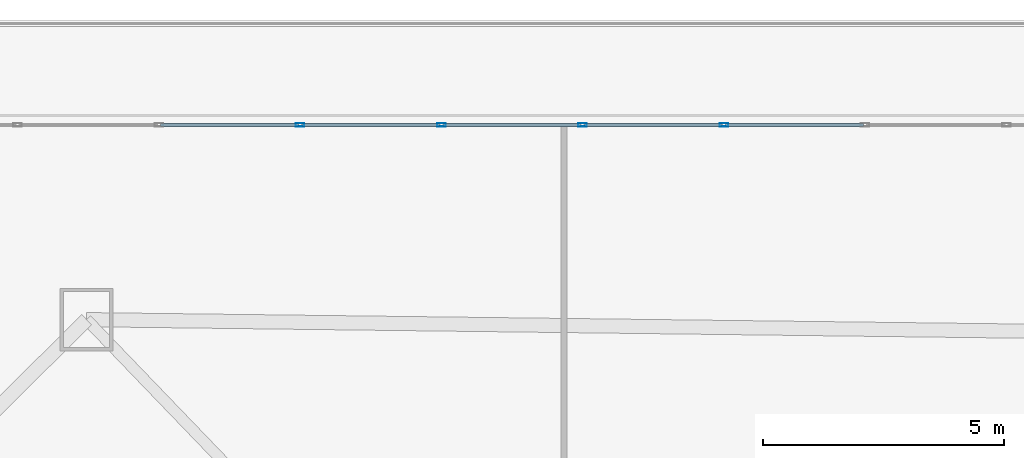
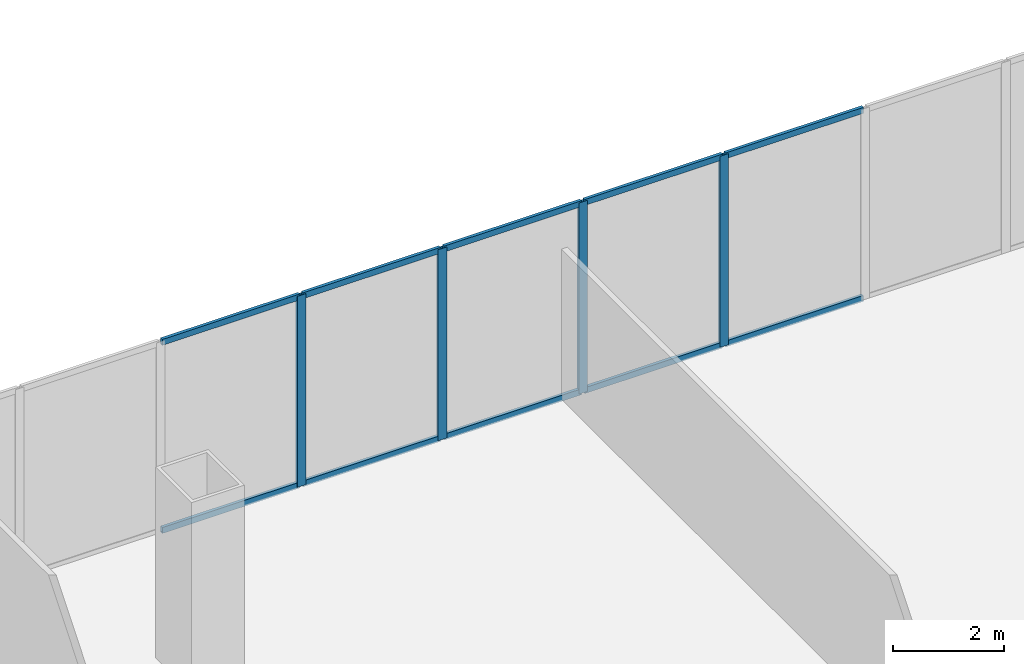
# One storey, part 15 of 31: 14 members, 1 element without a shape of its own.
"""IFC4 building model written with IfcOpenShell, lengths in metres."""

from ifc_helpers import new_model, si_unit, direction, frame, origin, origin_2d, place, context, subcontext, project, spatial, hollow_rectangle, extrude, material, layer, layer_set, material_profile, profile_set, type_object, element, aggregate, save


model = new_model("IFC4")

# Units and contexts
model_context = context("Model", 3, precision=1e-05, world=origin(), true_north=direction((0.0, 1.0)))
body_context = subcontext(model_context, "Body", "Model", "MODEL_VIEW")
ifc_project = project(units=[si_unit("LENGTHUNIT", "METRE"), si_unit("AREAUNIT", "SQUARE_METRE"), si_unit("VOLUMEUNIT", "CUBIC_METRE"), si_unit("PLANEANGLEUNIT", "RADIAN"), si_unit("MASSUNIT", "GRAM", prefix="KILO")], contexts=[model_context])

# Site, building, storey
site_placement = place(None, origin())
site = spatial("IfcSite", under=ifc_project, at=site_placement, CompositionType="ELEMENT")
building_placement = place(site_placement, origin())
building = spatial("IfcBuilding", under=site, at=building_placement, Name="Caelvoria Tower", CompositionType="ELEMENT")
storey_placement = place(building_placement, frame((0.0, 0.0, 9.5)))
storey = spatial("IfcBuildingStorey", under=building, at=storey_placement, Name="L02", CompositionType="ELEMENT", Elevation=9.5)

# Curtain wall, members
ifc_material_1 = material(Name="Anodised Bronze Aluminium and Low-E Glass", Category="aluminium")
ifc_layer = layer(ifc_material_1, 0.199951171875, Name="Anodised Bronze Aluminium and Low-E Glass")
ifc_layer_set = layer_set([ifc_layer], Name="CW System 1 Podium Arcade Unitised Glazing - Anodised Bronze Aluminium and Low-E Glass")
curtain_wall_type = type_object("IfcCurtainWallType", Name="CW System 1 Podium Arcade Unitised Glazing", PredefinedType="NOTDEFINED", material=ifc_layer_set)
curtain_wall_placement = place(storey_placement, origin())
curtain_wall = element("IfcCurtainWall", 1, at=curtain_wall_placement, inside=storey, type_object=curtain_wall_type, Name="CW-01 Curtain Wall L02-E4", PredefinedType="NOTDEFINED")
ifc_material_2 = material(Name="Anodised Bronze Architectural Aluminium", Category="aluminium")
ifc_material_profile_1 = material_profile(ifc_material_2, hollow_rectangle(XDim=0.070068359375, YDim=0.179931640625, WallThickness=0.00390625, at=origin_2d()), Name="Anodised Bronze Architectural Aluminium")
ifc_profile_set_1 = profile_set([ifc_material_profile_1], Name="CW_MULL_70X180 - Anodised Bronze Architectural Aluminium")
member_type_1 = type_object("IfcMemberType", Name="Curtain Wall Mullion 70x180 Bronze Aluminium", PredefinedType="MULLION", material=ifc_profile_set_1)
member_1_placement = place(storey_placement, frame((37.19091796875, 57.6201171875, 0.0), z_axis=(0.0, 0.0, 1.0), x_axis=(0.0, -1.0, 0.0)))
member_1 = element("IfcMember", 2, at=member_1_placement, type_object=member_type_1, Name="CW-01 mullion 15", PredefinedType="MULLION", context=body_context, shape_type="SweptSolid", body=[
    extrude(hollow_rectangle(XDim=0.070068359375, YDim=0.179931640625, WallThickness=0.00390625, at=origin_2d()), origin(), (0.0, 0.0, 1.0), 4.2099609375),
])
member_2_placement = place(storey_placement, frame((34.254638671875, 57.6201171875, 0.0), z_axis=(0.0, 0.0, 1.0), x_axis=(0.0, -1.0, 0.0)))
member_2 = element("IfcMember", 3, at=member_2_placement, type_object=member_type_1, Name="CW-01 mullion 16", PredefinedType="MULLION", context=body_context, shape_type="SweptSolid", body=[
    extrude(hollow_rectangle(XDim=0.070068359375, YDim=0.179931640625, WallThickness=0.00390625, at=origin_2d()), origin(), (0.0, 0.0, 1.0), 4.2099609375),
])
member_3_placement = place(storey_placement, frame((31.318115234375, 57.6201171875, 0.0), z_axis=(0.0, 0.0, 1.0), x_axis=(0.0, -1.0, 0.0)))
member_3 = element("IfcMember", 4, at=member_3_placement, type_object=member_type_1, Name="CW-01 mullion 17", PredefinedType="MULLION", context=body_context, shape_type="SweptSolid", body=[
    extrude(hollow_rectangle(XDim=0.070068359375, YDim=0.179931640625, WallThickness=0.00390625, at=origin_2d()), origin(), (0.0, 0.0, 1.0), 4.2099609375),
])
member_4_placement = place(storey_placement, frame((28.3818359375, 57.6201171875, 0.0), z_axis=(0.0, 0.0, 1.0), x_axis=(0.0, -1.0, 0.0)))
member_4 = element("IfcMember", 5, at=member_4_placement, type_object=member_type_1, Name="CW-01 mullion 18", PredefinedType="MULLION", context=body_context, shape_type="SweptSolid", body=[
    extrude(hollow_rectangle(XDim=0.070068359375, YDim=0.179931640625, WallThickness=0.00390625, at=origin_2d()), origin(), (0.0, 0.0, 1.0), 4.2099609375),
])
ifc_material_profile_2 = material_profile(ifc_material_2, hollow_rectangle(XDim=0.06494140625, YDim=0.1298828125, WallThickness=0.00341796875, at=origin_2d()), Name="Anodised Bronze Architectural Aluminium")
ifc_profile_set_2 = profile_set([ifc_material_profile_2], Name="CW_TRAN_65X130 - Anodised Bronze Architectural Aluminium")
member_type_2 = type_object("IfcMemberType", Name="Curtain Wall Transom 65x130 Bronze Aluminium", PredefinedType="USERDEFINED", material=ifc_profile_set_2)
member_5_placement = place(storey_placement, frame((40.09228515625, 57.6201171875, 0.032470703125), z_axis=(-1.0, 0.0, 0.0), x_axis=(0.0, -1.0, 0.0)))
member_5 = element("IfcMember", 6, at=member_5_placement, type_object=member_type_2, Name="CW-01 transom 14.1", ObjectType="TRANSOM", PredefinedType="USERDEFINED", context=body_context, shape_type="SweptSolid", body=[
    extrude(hollow_rectangle(XDim=0.06494140625, YDim=0.1298828125, WallThickness=0.00341796875, at=origin_2d()), origin(), (0.0, 0.0, 1.0), 2.866455078125),
])
member_6_placement = place(storey_placement, frame((40.09228515625, 57.6201171875, 4.177490234375), z_axis=(-1.0, 0.0, 0.0), x_axis=(0.0, -1.0, 0.0)))
member_6 = element("IfcMember", 7, at=member_6_placement, type_object=member_type_2, Name="CW-01 transom 14.2", ObjectType="TRANSOM", PredefinedType="USERDEFINED", context=body_context, shape_type="SweptSolid", body=[
    extrude(hollow_rectangle(XDim=0.06494140625, YDim=0.1298828125, WallThickness=0.00341796875, at=origin_2d()), origin(), (0.0, 0.0, 1.0), 2.866455078125),
])
member_7_placement = place(storey_placement, frame((37.156005859375, 57.6201171875, 0.032470703125), z_axis=(-1.0, 0.0, 0.0), x_axis=(0.0, -1.0, 0.0)))
member_7 = element("IfcMember", 8, at=member_7_placement, type_object=member_type_2, Name="CW-01 transom 15.1", ObjectType="TRANSOM", PredefinedType="USERDEFINED", context=body_context, shape_type="SweptSolid", body=[
    extrude(hollow_rectangle(XDim=0.06494140625, YDim=0.1298828125, WallThickness=0.00341796875, at=origin_2d()), origin(), (0.0, 0.0, 1.0), 2.866455078125),
])
member_8_placement = place(storey_placement, frame((37.156005859375, 57.6201171875, 4.177490234375), z_axis=(-1.0, 0.0, 0.0), x_axis=(0.0, -1.0, 0.0)))
member_8 = element("IfcMember", 9, at=member_8_placement, type_object=member_type_2, Name="CW-01 transom 15.2", ObjectType="TRANSOM", PredefinedType="USERDEFINED", context=body_context, shape_type="SweptSolid", body=[
    extrude(hollow_rectangle(XDim=0.06494140625, YDim=0.1298828125, WallThickness=0.00341796875, at=origin_2d()), origin(), (0.0, 0.0, 1.0), 2.866455078125),
])
member_9_placement = place(storey_placement, frame((34.219482421875, 57.6201171875, 0.032470703125), z_axis=(-1.0, 0.0, 0.0), x_axis=(0.0, -1.0, 0.0)))
member_9 = element("IfcMember", 10, at=member_9_placement, type_object=member_type_2, Name="CW-01 transom 16.1", ObjectType="TRANSOM", PredefinedType="USERDEFINED", context=body_context, shape_type="SweptSolid", body=[
    extrude(hollow_rectangle(XDim=0.06494140625, YDim=0.1298828125, WallThickness=0.00341796875, at=origin_2d()), origin(), (0.0, 0.0, 1.0), 2.8662109375),
])
member_10_placement = place(storey_placement, frame((34.219482421875, 57.6201171875, 4.177490234375), z_axis=(-1.0, 0.0, 0.0), x_axis=(0.0, -1.0, 0.0)))
member_10 = element("IfcMember", 11, at=member_10_placement, type_object=member_type_2, Name="CW-01 transom 16.2", ObjectType="TRANSOM", PredefinedType="USERDEFINED", context=body_context, shape_type="SweptSolid", body=[
    extrude(hollow_rectangle(XDim=0.06494140625, YDim=0.1298828125, WallThickness=0.00341796875, at=origin_2d()), origin(), (0.0, 0.0, 1.0), 2.8662109375),
])
member_11_placement = place(storey_placement, frame((31.283203125, 57.6201171875, 0.032470703125), z_axis=(-1.0, 0.0, 0.0), x_axis=(0.0, -1.0, 0.0)))
member_11 = element("IfcMember", 12, at=member_11_placement, type_object=member_type_2, Name="CW-01 transom 17.1", ObjectType="TRANSOM", PredefinedType="USERDEFINED", context=body_context, shape_type="SweptSolid", body=[
    extrude(hollow_rectangle(XDim=0.06494140625, YDim=0.1298828125, WallThickness=0.00341796875, at=origin_2d()), origin(), (0.0, 0.0, 1.0), 2.866455078125),
])
member_12_placement = place(storey_placement, frame((31.283203125, 57.6201171875, 4.177490234375), z_axis=(-1.0, 0.0, 0.0), x_axis=(0.0, -1.0, 0.0)))
member_12 = element("IfcMember", 13, at=member_12_placement, type_object=member_type_2, Name="CW-01 transom 17.2", ObjectType="TRANSOM", PredefinedType="USERDEFINED", context=body_context, shape_type="SweptSolid", body=[
    extrude(hollow_rectangle(XDim=0.06494140625, YDim=0.1298828125, WallThickness=0.00341796875, at=origin_2d()), origin(), (0.0, 0.0, 1.0), 2.866455078125),
])
member_13_placement = place(storey_placement, frame((28.346923828125, 57.6201171875, 0.032470703125), z_axis=(-1.0, 0.0, 0.0), x_axis=(0.0, -1.0, 0.0)))
member_13 = element("IfcMember", 14, at=member_13_placement, type_object=member_type_2, Name="CW-01 transom 18.1", ObjectType="TRANSOM", PredefinedType="USERDEFINED", context=body_context, shape_type="SweptSolid", body=[
    extrude(hollow_rectangle(XDim=0.06494140625, YDim=0.1298828125, WallThickness=0.00341796875, at=origin_2d()), origin(), (0.0, 0.0, 1.0), 2.866455078125),
])
member_14_placement = place(storey_placement, frame((28.346923828125, 57.6201171875, 4.177490234375), z_axis=(-1.0, 0.0, 0.0), x_axis=(0.0, -1.0, 0.0)))
member_14 = element("IfcMember", 15, at=member_14_placement, type_object=member_type_2, Name="CW-01 transom 18.2", ObjectType="TRANSOM", PredefinedType="USERDEFINED", context=body_context, shape_type="SweptSolid", body=[
    extrude(hollow_rectangle(XDim=0.06494140625, YDim=0.1298828125, WallThickness=0.00341796875, at=origin_2d()), origin(), (0.0, 0.0, 1.0), 2.866455078125),
])
aggregate(curtain_wall, [member_1, member_2, member_3, member_4, member_5, member_6, member_7, member_8, member_9, member_10, member_11, member_12, member_13, member_14])

save(model, "model.ifc")
